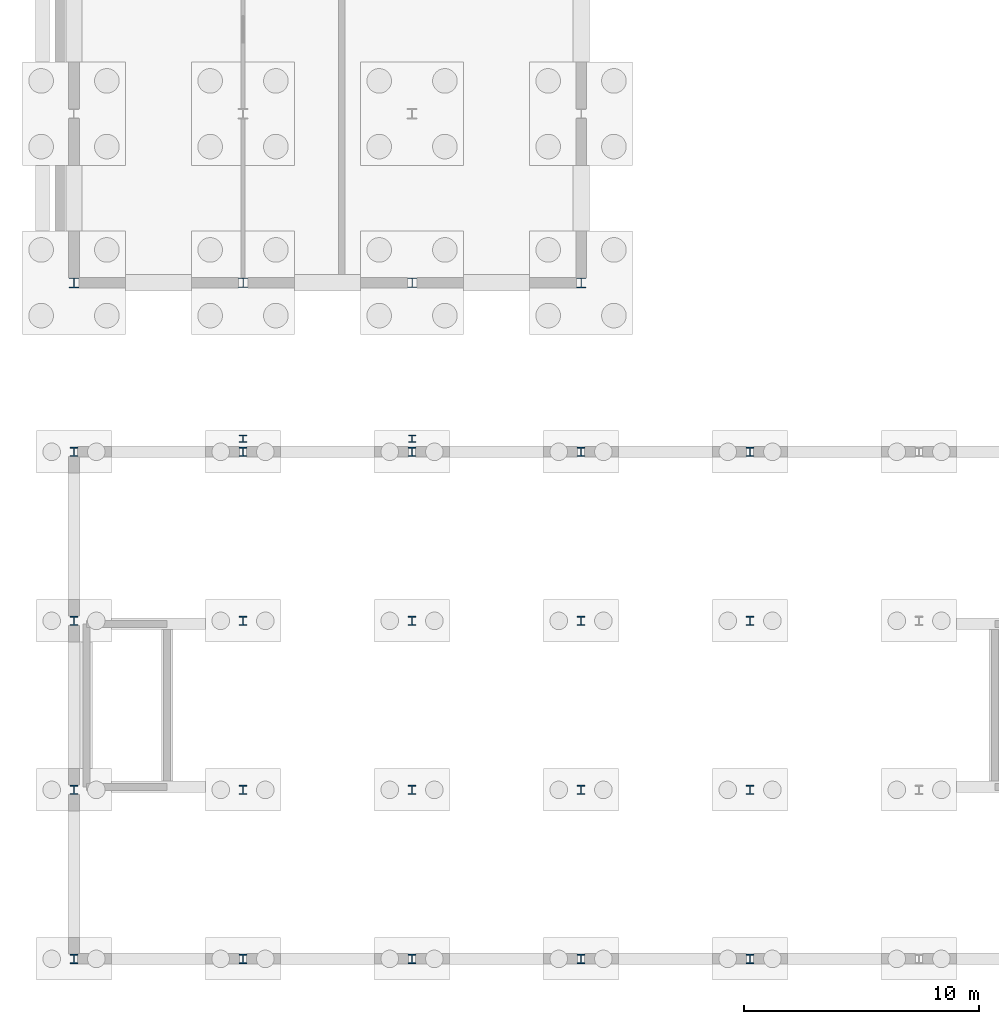
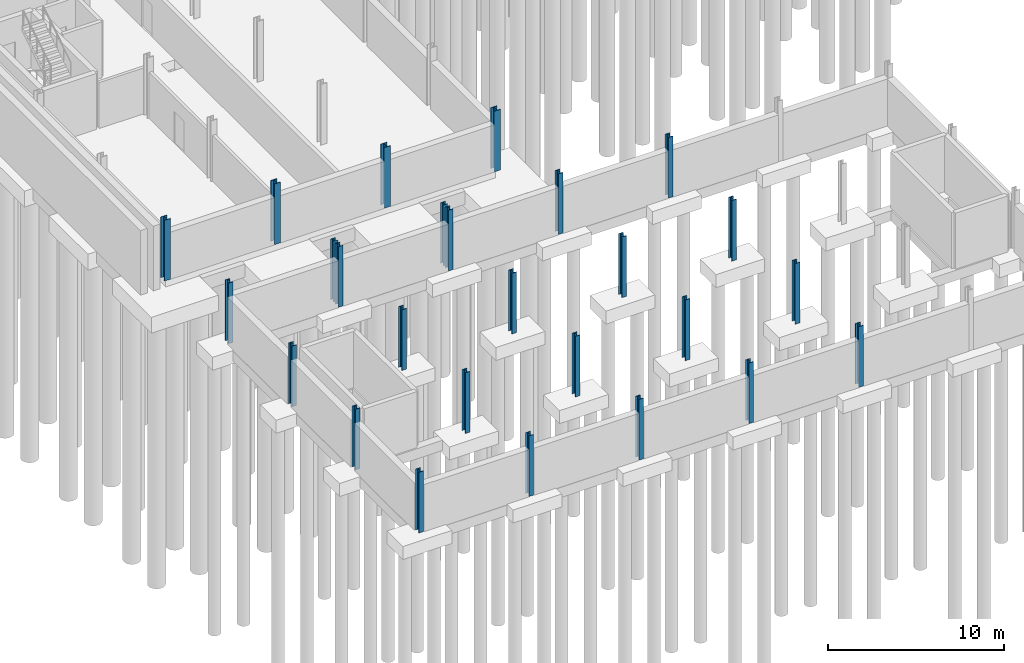
# One storey, part 8 of 50: 26 columns.
"""IFC4 building model written with IfcOpenShell, lengths in metres."""

from ifc_helpers import new_model, si_unit, direction, frame, origin, origin_2d, place, context, subcontext, project, spatial, i_section, extrude, material, material_profile, profile_set, type_object, element, save


model = new_model("IFC4")

# Units and contexts
model_context = context("Model", 3, precision=1e-05, world=origin(), true_north=direction((0.0, 1.0)))
body_context = subcontext(model_context, "Body", "Model", "MODEL_VIEW")
ifc_project = project(units=[si_unit("LENGTHUNIT", "METRE"), si_unit("AREAUNIT", "SQUARE_METRE"), si_unit("VOLUMEUNIT", "CUBIC_METRE"), si_unit("PLANEANGLEUNIT", "RADIAN"), si_unit("MASSUNIT", "GRAM", prefix="KILO")], contexts=[model_context])

# Site, building, storey
site_placement = place(None, origin())
site = spatial("IfcSite", under=ifc_project, at=site_placement, CompositionType="ELEMENT")
building_placement = place(site_placement, origin())
building = spatial("IfcBuilding", under=site, at=building_placement, Name="Narikvali Park Central Library", CompositionType="ELEMENT")
storey_placement = place(building_placement, frame((0.0, 0.0, -4.199951171875)))
storey = spatial("IfcBuildingStorey", under=building, at=storey_placement, Name="B1", CompositionType="ELEMENT", Elevation=-4.199951171875)

# Columns
ifc_material = material(Name="Steel S355", Category="steel")
ifc_material_profile_1 = material_profile(ifc_material, i_section(OverallWidth=0.408935546875, OverallDepth=0.425048828125, WebThickness=0.02294921875, FlangeThickness=0.03857421875, FilletRadius=0.014892578125, at=origin_2d()), Name="HD 400x421")
ifc_profile_set_1 = profile_set([ifc_material_profile_1], Name="Steel S355")
column_type_1 = type_object("IfcColumnType", Name="Heavy Archive Column HD400x421", PredefinedType="COLUMN", material=ifc_profile_set_1)
for number, where, z_axis, x_axis, name in (
    (1, (0.0, 28.800048828125, 0.0), (0.0, 0.0, 1.0), (1.0, 0.0, 0.0), "V5 B1 Column (0.0,28.8)"),
    (2, (21.60009765625, 28.800048828125, 0.0), (0.0, 0.0, 1.0), (1.0, 0.0, 0.0), "V5 B1 Column (21.6,28.8)"),
):
    element("IfcColumn", number, at=place(storey_placement, frame(where, z_axis=z_axis, x_axis=x_axis)), inside=storey, type_object=column_type_1, Name=name, PredefinedType="COLUMN", context=body_context, shape_type="SweptSolid", body=[
        extrude(i_section(OverallWidth=0.408935546875, OverallDepth=0.425048828125, WebThickness=0.02294921875, FlangeThickness=0.03857421875, FilletRadius=0.014892578125, at=origin_2d()), origin(), (0.0, 0.0, 1.0), 4.199951171875),
    ])
ifc_material_profile_2 = material_profile(ifc_material, i_section(OverallWidth=0.406005859375, OverallDepth=0.416015625, WebThickness=0.021484375, FlangeThickness=0.034423828125, FilletRadius=0.014892578125, at=origin_2d()), Name="HD 400x382")
ifc_profile_set_2 = profile_set([ifc_material_profile_2], Name="Steel S355")
column_type_2 = type_object("IfcColumnType", Name="Steel Column HD400x382", PredefinedType="COLUMN", material=ifc_profile_set_2)
for number, where, z_axis, x_axis, name in (
    (3, (7.199951171875, 28.800048828125, 0.0), (0.0, 0.0, 1.0), (1.0, 0.0, 0.0), "V5 B1 Column (7.2,28.8)"),
    (4, (14.39990234375, 28.800048828125, 0.0), (0.0, 0.0, 1.0), (1.0, 0.0, 0.0), "V5 B1 Column (14.4,28.8)"),
):
    element("IfcColumn", number, at=place(storey_placement, frame(where, z_axis=z_axis, x_axis=x_axis)), inside=storey, type_object=column_type_2, Name=name, PredefinedType="COLUMN", context=body_context, shape_type="SweptSolid", body=[
        extrude(i_section(OverallWidth=0.406005859375, OverallDepth=0.416015625, WebThickness=0.021484375, FlangeThickness=0.034423828125, FilletRadius=0.014892578125, at=origin_2d()), origin(), (0.0, 0.0, 1.0), 4.199951171875),
    ])
ifc_material_profile_3 = material_profile(ifc_material, i_section(OverallWidth=0.300048828125, OverallDepth=0.300048828125, WebThickness=0.010986328125, FlangeThickness=0.01904296875, FilletRadius=0.027099609375, at=origin_2d()), Name="HEB 300")
ifc_profile_set_3 = profile_set([ifc_material_profile_3], Name="Steel S355")
column_type_3 = type_object("IfcColumnType", Name="Steel Column HEB300", PredefinedType="COLUMN", material=ifc_profile_set_3)
for number, where, z_axis, x_axis, name in (
    (5, (7.199951171875, 22.14990234375, 0.0), (0.0, 0.0, 1.0), (1.0, 0.0, 0.0), "BRG-5 Bridge Pier B1"),
    (6, (14.39990234375, 22.14990234375, 0.0), (0.0, 0.0, 1.0), (1.0, 0.0, 0.0), "BRG-5 Bridge Pier B1"),
):
    element("IfcColumn", number, at=place(storey_placement, frame(where, z_axis=z_axis, x_axis=x_axis)), inside=storey, type_object=column_type_3, Name=name, PredefinedType="COLUMN", context=body_context, shape_type="SweptSolid", body=[
        extrude(i_section(OverallWidth=0.300048828125, OverallDepth=0.300048828125, WebThickness=0.010986328125, FlangeThickness=0.01904296875, FilletRadius=0.027099609375, at=origin_2d()), origin(), (0.0, 0.0, 1.0), 4.199951171875),
    ])
ifc_material_profile_4 = material_profile(ifc_material, i_section(OverallWidth=0.30810546875, OverallDepth=0.39501953125, WebThickness=0.02099609375, FlangeThickness=0.035888671875, FilletRadius=0.027099609375, at=origin_2d()), Name="HEM 360")
ifc_profile_set_4 = profile_set([ifc_material_profile_4], Name="Steel S355")
column_type_4 = type_object("IfcColumnType", Name="Steel Column HEM360", PredefinedType="COLUMN", material=ifc_profile_set_4)
for number, where, z_axis, x_axis, name in (
    (7, (0.0, 0.0, 0.0), (0.0, 0.0, 1.0), (1.0, 0.0, 0.0), "V2 B1 Foundation Column (0.0,0.0)"),
    (8, (0.0, 7.199951171875, 0.0), (0.0, 0.0, 1.0), (1.0, 0.0, 0.0), "V2 B1 Foundation Column (0.0,7.2)"),
    (9, (0.0, 14.39990234375, 0.0), (0.0, 0.0, 1.0), (1.0, 0.0, 0.0), "V2 B1 Foundation Column (0.0,14.4)"),
    (10, (0.0, 21.60009765625, 0.0), (0.0, 0.0, 1.0), (1.0, 0.0, 0.0), "V2 B1 Foundation Column (0.0,21.6)"),
    (11, (7.199951171875, 0.0, 0.0), (0.0, 0.0, 1.0), (1.0, 0.0, 0.0), "V2 B1 Foundation Column (7.2,0.0)"),
    (12, (7.199951171875, 7.199951171875, 0.0), (0.0, 0.0, 1.0), (1.0, 0.0, 0.0), "V2 B1 Foundation Column (7.2,7.2)"),
    (13, (7.199951171875, 14.39990234375, 0.0), (0.0, 0.0, 1.0), (1.0, 0.0, 0.0), "V2 B1 Foundation Column (7.2,14.4)"),
    (14, (7.199951171875, 21.60009765625, 0.0), (0.0, 0.0, 1.0), (1.0, 0.0, 0.0), "V2 B1 Foundation Column (7.2,21.6)"),
    (15, (14.39990234375, 0.0, 0.0), (0.0, 0.0, 1.0), (1.0, 0.0, 0.0), "V2 B1 Foundation Column (14.4,0.0)"),
    (16, (14.39990234375, 7.199951171875, 0.0), (0.0, 0.0, 1.0), (1.0, 0.0, 0.0), "V2 B1 Foundation Column (14.4,7.2)"),
    (17, (14.39990234375, 14.39990234375, 0.0), (0.0, 0.0, 1.0), (1.0, 0.0, 0.0), "V2 B1 Foundation Column (14.4,14.4)"),
    (18, (14.39990234375, 21.60009765625, 0.0), (0.0, 0.0, 1.0), (1.0, 0.0, 0.0), "V2 B1 Foundation Column (14.4,21.6)"),
    (19, (21.60009765625, 0.0, 0.0), (0.0, 0.0, 1.0), (1.0, 0.0, 0.0), "V2 B1 Foundation Column (21.6,0.0)"),
    (20, (21.60009765625, 7.199951171875, 0.0), (0.0, 0.0, 1.0), (1.0, 0.0, 0.0), "V2 B1 Foundation Column (21.6,7.2)"),
    (21, (21.60009765625, 14.39990234375, 0.0), (0.0, 0.0, 1.0), (1.0, 0.0, 0.0), "V2 B1 Foundation Column (21.6,14.4)"),
    (22, (21.60009765625, 21.60009765625, 0.0), (0.0, 0.0, 1.0), (1.0, 0.0, 0.0), "V2 B1 Foundation Column (21.6,21.6)"),
    (23, (28.800048828125, 0.0, 0.0), (0.0, 0.0, 1.0), (1.0, 0.0, 0.0), "V2 B1 Foundation Column (28.8,0.0)"),
    (24, (28.800048828125, 7.199951171875, 0.0), (0.0, 0.0, 1.0), (1.0, 0.0, 0.0), "V2 B1 Foundation Column (28.8,7.2)"),
    (25, (28.800048828125, 14.39990234375, 0.0), (0.0, 0.0, 1.0), (1.0, 0.0, 0.0), "V2 B1 Foundation Column (28.8,14.4)"),
    (26, (28.800048828125, 21.60009765625, 0.0), (0.0, 0.0, 1.0), (1.0, 0.0, 0.0), "V2 B1 Foundation Column (28.8,21.6)"),
):
    element("IfcColumn", number, at=place(storey_placement, frame(where, z_axis=z_axis, x_axis=x_axis)), inside=storey, type_object=column_type_4, Name=name, PredefinedType="COLUMN", context=body_context, shape_type="SweptSolid", body=[
        extrude(i_section(OverallWidth=0.30810546875, OverallDepth=0.39501953125, WebThickness=0.02099609375, FlangeThickness=0.035888671875, FilletRadius=0.027099609375, at=origin_2d()), origin(), (0.0, 0.0, 1.0), 4.199951171875),
    ])

save(model, "model.ifc")
